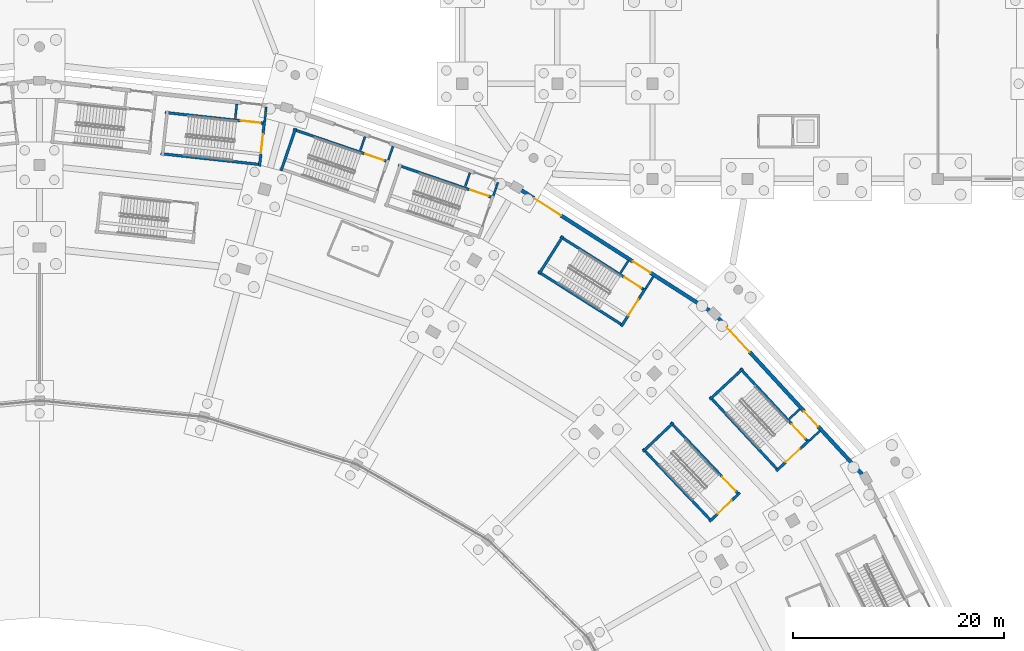
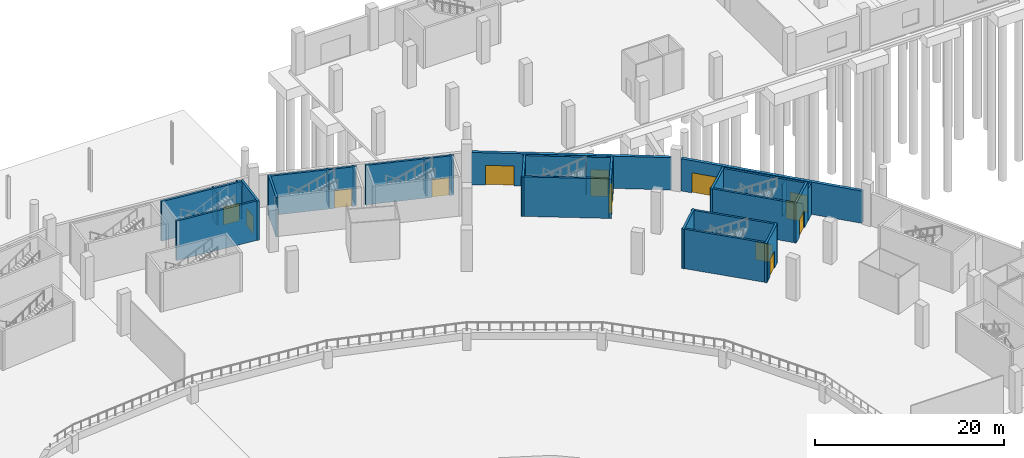
# One storey, part 47 of 103: 30 walls, 14 doors, 14 openings.
"""IFC4 building model written with IfcOpenShell, lengths in metres."""

from ifc_helpers import new_model, si_unit, direction, frame, frame_2d, origin, place, context, subcontext, project, spatial, rectangle, extrude, material, layer, layer_set, type_object, element, fill, save


model = new_model("IFC4")

# Units and contexts
model_context = context("Model", 3, precision=1e-05, world=origin(), true_north=direction((0.0, 1.0)))
body_context = subcontext(model_context, "Body", "Model", "MODEL_VIEW")
ifc_project = project(units=[si_unit("LENGTHUNIT", "METRE"), si_unit("AREAUNIT", "SQUARE_METRE"), si_unit("VOLUMEUNIT", "CUBIC_METRE"), si_unit("PLANEANGLEUNIT", "RADIAN"), si_unit("MASSUNIT", "GRAM", prefix="KILO")], contexts=[model_context])

# Site, building, storey
site_placement = place(None, origin())
site = spatial("IfcSite", under=ifc_project, at=site_placement, CompositionType="ELEMENT")
building_placement = place(site_placement, origin())
building = spatial("IfcBuilding", under=site, at=building_placement, Name="Zevraka Park Crest Stadium", CompositionType="ELEMENT")
storey_placement = place(building_placement, origin())
storey = spatial("IfcBuildingStorey", under=building, at=storey_placement, Name="L00", CompositionType="ELEMENT", Elevation=0.0)

# Wall, openings, doors
ifc_material_1 = material(Name="Limestone and red clay brick masonry", Category="masonry")
ifc_layer_1 = layer(ifc_material_1, 0.35009765625)
ifc_layer_set_1 = layer_set([ifc_layer_1], Name="Limestone and red clay brick masonry")
wall_type_1 = type_object("IfcWallType", Name="EW01", PredefinedType="STANDARD", material=ifc_layer_set_1)
wall_1_placement = place(storey_placement, frame((176.2080078125, 144.85791015625, 0.0), z_axis=(0.0, 0.0, 1.0), x_axis=(0.677106454921, -0.735885078462, 0.0)))
wall_1 = element("IfcWall", 1, at=wall_1_placement, inside=storey, type_object=wall_type_1, Name="L00 Pointed-Arch Colonnade Wall EW01 02", PredefinedType="STANDARD", context=body_context, shape_type="SweptSolid", body=[
    extrude(rectangle(XDim=20.128173828125, YDim=0.35009765625, at=frame_2d((10.06396484375, 0.0))), origin(), (0.0, 0.0, 1.0), 4.1650390625),
])
opening_1_placement = place(wall_1_placement, frame((12.033935546875, 0.0, 0.0)))
opening_1 = element("IfcOpeningElement", 2, at=opening_1_placement, cuts=wall_1, Name="Opening D-L00-EX-ST03", PredefinedType="OPENING", context=body_context, shape_type="SweptSolid", body=[
    extrude(rectangle(XDim=1.949951171875, YDim=2.25, at=frame_2d((0.97509765625, 1.125))), frame((0.0, 0.18505859375, 0.0), z_axis=(0.0, -1.0, 0.0), x_axis=(1.0, 0.0, 0.0)), (0.0, 0.0, 1.0), 0.3701171875),
])
opening_2_placement = place(wall_1_placement, frame((1.218017578125, 0.0, 0.0)))
opening_2 = element("IfcOpeningElement", 3, at=opening_2_placement, cuts=wall_1, Name="Opening D-L00-E03", PredefinedType="OPENING", context=body_context, shape_type="SweptSolid", body=[
    extrude(rectangle(XDim=3.199951171875, YDim=2.60009765625, at=frame_2d((1.60009765625, 1.300048828125))), frame((0.0, 0.18505859375, 0.0), z_axis=(0.0, -1.0, 0.0), x_axis=(1.0, 0.0, 0.0)), (0.0, 0.0, 1.0), 0.3701171875),
])
ifc_material_2 = material(Name="Thermally broken architectural aluminium and safety glass", Category="aluminium")
door_type_1 = type_object("IfcDoorType", Name="ED03", OperationType="NOTDEFINED", PredefinedType="DOOR", material=ifc_material_2)
door_1_placement = place(opening_2_placement, origin())
door_1 = element("IfcDoor", 4, at=door_1_placement, inside=storey, type_object=door_type_1, Name="Concourse Final Exit E03", OperationType="DOUBLE_DOOR_SINGLE_SWING", OverallHeight=2.60009765625, OverallWidth=3.199951171875, PredefinedType="DOOR", context=body_context, shape_type="SweptSolid", body=[
    extrude(rectangle(XDim=3.199951171875, YDim=2.60009765625, at=frame_2d((1.60009765625, 1.300048828125))), frame((0.0, 0.02490234375, 0.0), z_axis=(0.0, -1.0, 0.0), x_axis=(1.0, 0.0, 0.0)), (0.0, 0.0, 1.0), 0.050048828125),
])
fill(opening_2, door_1)
ifc_material_3 = material(Name="Thermally broken architectural aluminium and safety glass", Category="aluminium")
door_type_2 = type_object("IfcDoorType", Name="ED05", OperationType="NOTDEFINED", PredefinedType="DOOR", material=ifc_material_3)
door_2_placement = place(opening_1_placement, origin())
door_2 = element("IfcDoor", 5, at=door_2_placement, inside=storey, type_object=door_type_2, Name="Stair Final Exit Discharge Door D-L00-EX-ST03", OperationType="DOUBLE_DOOR_SINGLE_SWING", OverallHeight=2.25, OverallWidth=1.949951171875, PredefinedType="DOOR", context=body_context, shape_type="SweptSolid", body=[
    extrude(rectangle(XDim=1.949951171875, YDim=2.25, at=frame_2d((0.97509765625, 1.125))), frame((0.0, 0.02490234375, 0.0), z_axis=(0.0, -1.0, 0.0), x_axis=(1.0, 0.0, 0.0)), (0.0, 0.0, 1.0), 0.050048828125),
])
fill(opening_1, door_2)

wall_2_placement = place(storey_placement, frame((157.593017578125, 156.928955078125, 0.0), z_axis=(0.0, 0.0, 1.0), x_axis=(0.842308733224, -0.538995359845, 0.0)))
wall_2 = element("IfcWall", 6, at=wall_2_placement, inside=storey, type_object=wall_type_1, Name="L00 Pointed-Arch Colonnade Wall EW01 03", PredefinedType="STANDARD", context=body_context, shape_type="SweptSolid", body=[
    extrude(rectangle(XDim=21.139404296875, YDim=0.35009765625, at=frame_2d((10.56982421875, 0.0))), origin(), (0.0, 0.0, 1.0), 4.1650390625),
])
opening_3_placement = place(wall_2_placement, frame((12.555908203125, 0.0, 0.0)))
opening_3 = element("IfcOpeningElement", 7, at=opening_3_placement, cuts=wall_2, Name="Opening D-L00-EX-ST04", PredefinedType="OPENING", context=body_context, shape_type="SweptSolid", body=[
    extrude(rectangle(XDim=1.949951171875, YDim=2.25, at=frame_2d((0.97509765625, 1.125))), frame((0.0, 0.18505859375, 0.0), z_axis=(0.0, -1.0, 0.0), x_axis=(1.0, 0.0, 0.0)), (0.0, 0.0, 1.0), 0.3701171875),
])
opening_4_placement = place(wall_2_placement, frame((1.4599609375, 0.0, 0.0)))
opening_4 = element("IfcOpeningElement", 8, at=opening_4_placement, cuts=wall_2, Name="Opening D-L00-E04", PredefinedType="OPENING", context=body_context, shape_type="SweptSolid", body=[
    extrude(rectangle(XDim=3.0, YDim=2.550048828125, at=frame_2d((1.5, 1.27490234375))), frame((0.0, 0.18505859375, 0.0), z_axis=(0.0, -1.0, 0.0), x_axis=(1.0, 0.0, 0.0)), (0.0, 0.0, 1.0), 0.3701171875),
])
ifc_material_4 = material(Name="Thermally broken architectural aluminium and safety glass", Category="aluminium")
door_type_3 = type_object("IfcDoorType", Name="ED04", OperationType="NOTDEFINED", PredefinedType="DOOR", material=ifc_material_4)
door_3_placement = place(opening_4_placement, origin())
door_3 = element("IfcDoor", 9, at=door_3_placement, inside=storey, type_object=door_type_3, Name="Concourse Final Exit E04", OperationType="DOUBLE_DOOR_SINGLE_SWING", OverallHeight=2.550048828125, OverallWidth=3.0, PredefinedType="DOOR", context=body_context, shape_type="SweptSolid", body=[
    extrude(rectangle(XDim=3.0, YDim=2.550048828125, at=frame_2d((1.5, 1.27490234375))), frame((0.0, 0.02490234375, 0.0), z_axis=(0.0, -1.0, 0.0), x_axis=(1.0, 0.0, 0.0)), (0.0, 0.0, 1.0), 0.050048828125),
])
fill(opening_4, door_3)
door_4_placement = place(opening_3_placement, origin())
door_4 = element("IfcDoor", 10, at=door_4_placement, inside=storey, type_object=door_type_2, Name="Stair Final Exit Discharge Door D-L00-EX-ST04", OperationType="DOUBLE_DOOR_SINGLE_SWING", OverallHeight=2.25, OverallWidth=1.949951171875, PredefinedType="DOOR", context=body_context, shape_type="SweptSolid", body=[
    extrude(rectangle(XDim=1.949951171875, YDim=2.25, at=frame_2d((0.97509765625, 1.125))), frame((0.0, 0.02490234375, 0.0), z_axis=(0.0, -1.0, 0.0), x_axis=(1.0, 0.0, 0.0)), (0.0, 0.0, 1.0), 0.050048828125),
])
fill(opening_3, door_4)

# Walls
ifc_material_5 = material(Name="Autoclaved aerated masonry blockwork", Category="masonry")
ifc_layer_2 = layer(ifc_material_5, 0.199951171875)
ifc_layer_set_2 = layer_set([ifc_layer_2], Name="Autoclaved aerated masonry blockwork")
wall_type_2 = type_object("IfcWallType", Name="IW01", PredefinedType="PARTITIONING", material=ifc_layer_set_2)
wall_3_placement = place(storey_placement, frame((184.8583984375, 133.236083984375, 0.0), z_axis=(0.0, 0.0, 1.0), x_axis=(0.735725414691, 0.677279937823, 0.0)))
element("IfcWall", 11, at=wall_3_placement, inside=storey, type_object=wall_type_2, Name="Protected Exit Passageway Wall IW01 ST03-A", PredefinedType="PARTITIONING", context=body_context, shape_type="SweptSolid", body=[
    extrude(rectangle(XDim=1.349365234375, YDim=0.199951171875, at=frame_2d((0.6748046875, 0.0))), origin(), (0.0, 0.0, 1.0), 4.1650390625),
])
wall_4_placement = place(storey_placement, frame((182.95361328125, 135.288330078125, 0.0), z_axis=(0.0, 0.0, 1.0), x_axis=(0.73582732187, 0.677169219907, 0.0)))
element("IfcWall", 12, at=wall_4_placement, inside=storey, type_object=wall_type_2, Name="Protected Exit Passageway Wall IW01 ST03-B", PredefinedType="PARTITIONING", context=body_context, shape_type="SweptSolid", body=[
    extrude(rectangle(XDim=1.361083984375, YDim=0.199951171875, at=frame_2d((0.6806640625, 0.0))), origin(), (0.0, 0.0, 1.0), 4.1650390625),
])
wall_5_placement = place(storey_placement, frame((169.356689453125, 147.61181640625, 0.0), z_axis=(0.0, 0.0, 1.0), x_axis=(0.538638587753, 0.842536926066, 0.0)))
element("IfcWall", 13, at=wall_5_placement, inside=storey, type_object=wall_type_2, Name="Protected Exit Passageway Wall IW01 ST04-A", PredefinedType="PARTITIONING", context=body_context, shape_type="SweptSolid", body=[
    extrude(rectangle(XDim=1.35205078125, YDim=0.199951171875, at=frame_2d((0.676025390625, 0.0))), origin(), (0.0, 0.0, 1.0), 4.1650390625),
])
wall_6_placement = place(storey_placement, frame((166.9921875, 149.11181640625, 0.0), z_axis=(0.0, 0.0, 1.0), x_axis=(0.539063860458, 0.842264895593, 0.0)))
element("IfcWall", 14, at=wall_6_placement, inside=storey, type_object=wall_type_2, Name="Protected Exit Passageway Wall IW01 ST04-B", PredefinedType="PARTITIONING", context=body_context, shape_type="SweptSolid", body=[
    extrude(rectangle(XDim=1.36328125, YDim=0.199951171875, at=frame_2d((0.681640625, 0.0))), origin(), (0.0, 0.0, 1.0), 4.1650390625),
])
wall_7_placement = place(storey_placement, frame((154.93701171875, 156.384033203125, 0.0), z_axis=(0.0, 0.0, 1.0), x_axis=(0.326626008273, 0.945153665136, 0.0)))
element("IfcWall", 15, at=wall_7_placement, inside=storey, type_object=wall_type_2, Name="Protected Exit Passageway Wall IW01 ST05-A", PredefinedType="PARTITIONING", context=body_context, shape_type="SweptSolid", body=[
    extrude(rectangle(XDim=1.349853515625, YDim=0.199951171875, at=frame_2d((0.6748046875, 0.0))), origin(), (0.0, 0.0, 1.0), 4.1650390625),
])
wall_8_placement = place(storey_placement, frame((152.287841796875, 157.291015625, 0.0), z_axis=(0.0, 0.0, 1.0), x_axis=(0.326461818728, 0.945210389761, 0.0)))
element("IfcWall", 16, at=wall_8_placement, inside=storey, type_object=wall_type_2, Name="Protected Exit Passageway Wall IW01 ST05-B", PredefinedType="PARTITIONING", context=body_context, shape_type="SweptSolid", body=[
    extrude(rectangle(XDim=1.357421875, YDim=0.199951171875, at=frame_2d((0.6787109375, 0.0))), origin(), (0.0, 0.0, 1.0), 4.1650390625),
])
wall_9_placement = place(storey_placement, frame((133.30419921875, 163.42333984375, 0.0), z_axis=(0.0, 0.0, 1.0), x_axis=(0.109105210456, 0.994030207313, 0.0)))
element("IfcWall", 17, at=wall_9_placement, inside=storey, type_object=wall_type_2, Name="Protected Exit Passageway Wall IW01 ST06-A", PredefinedType="PARTITIONING", context=body_context, shape_type="SweptSolid", body=[
    extrude(rectangle(XDim=1.3740234375, YDim=0.199951171875, at=frame_2d((0.68701171875, 0.0))), origin(), (0.0, 0.0, 1.0), 4.1650390625),
])
wall_10_placement = place(storey_placement, frame((130.5205078125, 163.726318359375, 0.0), z_axis=(0.0, 0.0, 1.0), x_axis=(0.109301909368, 0.994008597854, 0.0)))
element("IfcWall", 18, at=wall_10_placement, inside=storey, type_object=wall_type_2, Name="Protected Exit Passageway Wall IW01 ST06-B", PredefinedType="PARTITIONING", context=body_context, shape_type="SweptSolid", body=[
    extrude(rectangle(XDim=1.3759765625, YDim=0.199951171875, at=frame_2d((0.68798828125, 0.0))), origin(), (0.0, 0.0, 1.0), 4.1650390625),
])
wall_11_placement = place(storey_placement, frame((145.0029296875, 159.784912109375, 0.0), z_axis=(0.0, 0.0, 1.0), x_axis=(0.326410930849, 0.945227964156, 0.0)))
element("IfcWall", 19, at=wall_11_placement, inside=storey, type_object=wall_type_2, Name="Protected Exit Passageway Wall IW01 ST25-A", PredefinedType="PARTITIONING", context=body_context, shape_type="SweptSolid", body=[
    extrude(rectangle(XDim=1.37841796875, YDim=0.199951171875, at=frame_2d((0.689208984375, 0.0))), origin(), (0.0, 0.0, 1.0), 4.1650390625),
])
wall_12_placement = place(storey_placement, frame((142.35400390625, 160.692138671875, 0.0), z_axis=(0.0, 0.0, 1.0), x_axis=(0.32614815498, 0.945318666378, 0.0)))
element("IfcWall", 20, at=wall_12_placement, inside=storey, type_object=wall_type_2, Name="Protected Exit Passageway Wall IW01 ST25-B", PredefinedType="PARTITIONING", context=body_context, shape_type="SweptSolid", body=[
    extrude(rectangle(XDim=1.385498046875, YDim=0.199951171875, at=frame_2d((0.69287109375, 0.0))), origin(), (0.0, 0.0, 1.0), 4.1650390625),
])

# Wall, opening, door
ifc_material_6 = material(Name="Concrete C40/50", Category="concrete")
ifc_layer_3 = layer(ifc_material_6, 0.25)
ifc_layer_set_3 = layer_set([ifc_layer_3], Name="Concrete C40/50")
wall_type_3 = type_object("IfcWallType", Name="SW01", PredefinedType="SHEAR", material=ifc_layer_set_3)
wall_13_placement = place(storey_placement, frame((178.30517578125, 140.047119140625, 0.0), z_axis=(0.0, 0.0, 1.0), x_axis=(0.680258890476, -0.732971924379, 0.0)))
wall_13 = element("IfcWall", 21, at=wall_13_placement, inside=storey, type_object=wall_type_3, Name="Stair Core Shear Wall SW01 ST03 L00 left", PredefinedType="SHEAR", context=body_context, shape_type="SweptSolid", body=[
    extrude(rectangle(XDim=9.550048828125, YDim=0.25, at=frame_2d((4.77490234375, 0.0))), origin(), (0.0, 0.0, 1.0), 5.10009765625),
])
opening_5_placement = place(wall_13_placement, frame((7.18994140625, 0.0, 0.0)))
opening_5 = element("IfcOpeningElement", 22, at=opening_5_placement, cuts=wall_13, Name="Opening D-L00-016", PredefinedType="OPENING", context=body_context, shape_type="SweptSolid", body=[
    extrude(rectangle(XDim=1.85009765625, YDim=2.300048828125, at=frame_2d((0.925048828125, 1.14990234375))), frame((0.0, 0.135009765625, 0.0), z_axis=(0.0, -1.0, 0.0), x_axis=(1.0, 0.0, 0.0)), (0.0, 0.0, 1.0), 0.27001953125),
])
ifc_material_7 = material(Name="Solid-core hardwood timber leaf in steel frame", Category="steel")
door_type_4 = type_object("IfcDoorType", Name="DR05", OperationType="NOTDEFINED", PredefinedType="DOOR", material=ifc_material_7)
door_5_placement = place(opening_5_placement, origin())
door_5 = element("IfcDoor", 23, at=door_5_placement, inside=storey, type_object=door_type_4, Name="Stair Exit Discharge Door ST03", OperationType="DOUBLE_DOOR_SINGLE_SWING", OverallHeight=2.300048828125, OverallWidth=1.85009765625, PredefinedType="DOOR", context=body_context, shape_type="SweptSolid", body=[
    extrude(rectangle(XDim=1.85009765625, YDim=2.300048828125, at=frame_2d((0.925048828125, 1.14990234375))), frame((0.0, 0.02490234375, 0.0), z_axis=(0.0, -1.0, 0.0), x_axis=(1.0, 0.0, 0.0)), (0.0, 0.0, 1.0), 0.050048828125),
])
fill(opening_5, door_5)

# Wall
wall_14_placement = place(storey_placement, frame((175.431884765625, 137.38037109375, 0.0), z_axis=(0.0, 0.0, 1.0), x_axis=(0.680271637111, -0.732960094236, 0.0)))
element("IfcWall", 24, at=wall_14_placement, inside=storey, type_object=wall_type_3, Name="Stair Core Shear Wall SW01 ST03 L00 right", PredefinedType="SHEAR", context=body_context, shape_type="SweptSolid", body=[
    extrude(rectangle(XDim=9.550048828125, YDim=0.25, at=frame_2d((4.77490234375, 0.0))), origin(), (0.0, 0.0, 1.0), 5.10009765625),
])

# Wall, opening, door
wall_15_placement = place(storey_placement, frame((181.71875, 130.3564453125, 0.0), z_axis=(0.0, 0.0, 1.0), x_axis=(0.732977166505, 0.680253242096, 0.0)))
wall_15 = element("IfcWall", 25, at=wall_15_placement, inside=storey, type_object=wall_type_3, Name="Stair Core Shear Wall SW01 ST03 L00 near", PredefinedType="SHEAR", context=body_context, shape_type="SweptSolid", body=[
    extrude(rectangle(XDim=4.260009765625, YDim=0.25, at=frame_2d((2.1298828125, 0.0))), origin(), (0.0, 0.0, 1.0), 5.10009765625),
])
opening_6_placement = place(wall_15_placement, frame((1.22998046875, 0.0, 0.0)))
opening_6 = element("IfcOpeningElement", 26, at=opening_6_placement, cuts=wall_15, Name="Opening D-L00-015", PredefinedType="OPENING", context=body_context, shape_type="SweptSolid", body=[
    extrude(rectangle(XDim=1.800048828125, YDim=2.25, at=frame_2d((0.89990234375, 1.125))), frame((0.0, 0.135009765625, 0.0), z_axis=(0.0, -1.0, 0.0), x_axis=(1.0, 0.0, 0.0)), (0.0, 0.0, 1.0), 0.27001953125),
])
ifc_material_8 = material(Name="Solid-core hardwood timber leaf in steel frame", Category="steel")
door_type_5 = type_object("IfcDoorType", Name="DR04", OperationType="NOTDEFINED", PredefinedType="DOOR", material=ifc_material_8)
door_6_placement = place(opening_6_placement, origin())
door_6 = element("IfcDoor", 27, at=door_6_placement, inside=storey, type_object=door_type_5, Name="Protected Stair Entry Door ST03 L00", OperationType="DOUBLE_DOOR_SINGLE_SWING", OverallHeight=2.25, OverallWidth=1.800048828125, PredefinedType="DOOR", context=body_context, shape_type="SweptSolid", body=[
    extrude(rectangle(XDim=1.800048828125, YDim=2.25, at=frame_2d((0.89990234375, 1.125))), frame((0.0, 0.02490234375, 0.0), z_axis=(0.0, -1.0, 0.0), x_axis=(1.0, 0.0, 0.0)), (0.0, 0.0, 1.0), 0.050048828125),
])
fill(opening_6, door_6)

# Wall
wall_16_placement = place(storey_placement, frame((178.5556640625, 140.027099609375, 0.0), z_axis=(0.0, 0.0, 1.0), x_axis=(-0.73295064559, -0.680281817433, 0.0)))
element("IfcWall", 28, at=wall_16_placement, inside=storey, type_object=wall_type_3, Name="Stair Core Shear Wall SW01 ST03 L00 far", PredefinedType="SHEAR", context=body_context, shape_type="SweptSolid", body=[
    extrude(rectangle(XDim=4.260009765625, YDim=0.25, at=frame_2d((2.1298828125, 0.0))), origin(), (0.0, 0.0, 1.0), 5.10009765625),
])

# Wall, opening, door
wall_17_placement = place(storey_placement, frame((161.285888671875, 152.53076171875, 0.0), z_axis=(0.0, 0.0, 1.0), x_axis=(0.844391246241, -0.535727004427, 0.0)))
wall_17 = element("IfcWall", 29, at=wall_17_placement, inside=storey, type_object=wall_type_3, Name="Stair Core Shear Wall SW01 ST04 L00 left", PredefinedType="SHEAR", context=body_context, shape_type="SweptSolid", body=[
    extrude(rectangle(XDim=9.550048828125, YDim=0.25, at=frame_2d((4.77490234375, 0.0))), origin(), (0.0, 0.0, 1.0), 5.10009765625),
])
opening_7_placement = place(wall_17_placement, frame((7.18994140625, 0.0, 0.0)))
opening_7 = element("IfcOpeningElement", 30, at=opening_7_placement, cuts=wall_17, Name="Opening D-L00-022", PredefinedType="OPENING", context=body_context, shape_type="SweptSolid", body=[
    extrude(rectangle(XDim=1.85009765625, YDim=2.300048828125, at=frame_2d((0.925048828125, 1.14990234375))), frame((0.0, 0.135009765625, 0.0), z_axis=(0.0, -1.0, 0.0), x_axis=(1.0, 0.0, 0.0)), (0.0, 0.0, 1.0), 0.27001953125),
])
door_7_placement = place(opening_7_placement, origin())
door_7 = element("IfcDoor", 31, at=door_7_placement, inside=storey, type_object=door_type_4, Name="Stair Exit Discharge Door ST04", OperationType="DOUBLE_DOOR_SINGLE_SWING", OverallHeight=2.300048828125, OverallWidth=1.85009765625, PredefinedType="DOOR", context=body_context, shape_type="SweptSolid", body=[
    extrude(rectangle(XDim=1.85009765625, YDim=2.300048828125, at=frame_2d((0.925048828125, 1.14990234375))), frame((0.0, 0.02490234375, 0.0), z_axis=(0.0, -1.0, 0.0), x_axis=(1.0, 0.0, 0.0)), (0.0, 0.0, 1.0), 0.050048828125),
])
fill(opening_7, door_7)

# Wall
wall_18_placement = place(storey_placement, frame((159.18603515625, 149.220703125, 0.0), z_axis=(0.0, 0.0, 1.0), x_axis=(0.844391246241, -0.535727004427, 0.0)))
element("IfcWall", 32, at=wall_18_placement, inside=storey, type_object=wall_type_3, Name="Stair Core Shear Wall SW01 ST04 L00 right", PredefinedType="SHEAR", context=body_context, shape_type="SweptSolid", body=[
    extrude(rectangle(XDim=9.550048828125, YDim=0.25, at=frame_2d((4.77490234375, 0.0))), origin(), (0.0, 0.0, 1.0), 5.10009765625),
])

# Wall, opening, door
wall_19_placement = place(storey_placement, frame((167.05322265625, 144.028076171875, 0.0), z_axis=(0.0, 0.0, 1.0), x_axis=(0.53572544074, 0.844392238325, 0.0)))
wall_19 = element("IfcWall", 33, at=wall_19_placement, inside=storey, type_object=wall_type_3, Name="Stair Core Shear Wall SW01 ST04 L00 near", PredefinedType="SHEAR", context=body_context, shape_type="SweptSolid", body=[
    extrude(rectangle(XDim=4.260009765625, YDim=0.25, at=frame_2d((2.1298828125, 0.0))), origin(), (0.0, 0.0, 1.0), 5.10009765625),
])
opening_8_placement = place(wall_19_placement, frame((1.22998046875, 0.0, 0.0)))
opening_8 = element("IfcOpeningElement", 34, at=opening_8_placement, cuts=wall_19, Name="Opening D-L00-021", PredefinedType="OPENING", context=body_context, shape_type="SweptSolid", body=[
    extrude(rectangle(XDim=1.800048828125, YDim=2.25, at=frame_2d((0.89990234375, 1.125))), frame((0.0, 0.135009765625, 0.0), z_axis=(0.0, -1.0, 0.0), x_axis=(1.0, 0.0, 0.0)), (0.0, 0.0, 1.0), 0.27001953125),
])
door_8_placement = place(opening_8_placement, origin())
door_8 = element("IfcDoor", 35, at=door_8_placement, inside=storey, type_object=door_type_5, Name="Protected Stair Entry Door ST04 L00", OperationType="DOUBLE_DOOR_SINGLE_SWING", OverallHeight=2.25, OverallWidth=1.800048828125, PredefinedType="DOOR", context=body_context, shape_type="SweptSolid", body=[
    extrude(rectangle(XDim=1.800048828125, YDim=2.25, at=frame_2d((0.89990234375, 1.125))), frame((0.0, 0.02490234375, 0.0), z_axis=(0.0, -1.0, 0.0), x_axis=(1.0, 0.0, 0.0)), (0.0, 0.0, 1.0), 0.050048828125),
])
fill(opening_8, door_8)

# Wall
wall_20_placement = place(storey_placement, frame((161.533203125, 152.5751953125, 0.0), z_axis=(0.0, 0.0, 1.0), x_axis=(-0.53572544074, -0.844392238325, 0.0)))
element("IfcWall", 36, at=wall_20_placement, inside=storey, type_object=wall_type_3, Name="Stair Core Shear Wall SW01 ST04 L00 far", PredefinedType="SHEAR", context=body_context, shape_type="SweptSolid", body=[
    extrude(rectangle(XDim=4.260009765625, YDim=0.25, at=frame_2d((2.1298828125, 0.0))), origin(), (0.0, 0.0, 1.0), 5.10009765625),
])

# Wall, opening, door
wall_21_placement = place(storey_placement, frame((145.94140625, 159.28466796875, 0.0), z_axis=(0.0, 0.0, 1.0), x_axis=(0.946064424228, -0.323978556712, 0.0)))
wall_21 = element("IfcWall", 37, at=wall_21_placement, inside=storey, type_object=wall_type_3, Name="Stair Core Shear Wall SW01 ST05 L00 left", PredefinedType="SHEAR", context=body_context, shape_type="SweptSolid", body=[
    extrude(rectangle(XDim=9.550048828125, YDim=0.25, at=frame_2d((4.77490234375, 0.0))), origin(), (0.0, 0.0, 1.0), 5.10009765625),
])
opening_9_placement = place(wall_21_placement, frame((7.18994140625, 0.0, 0.0)))
opening_9 = element("IfcOpeningElement", 38, at=opening_9_placement, cuts=wall_21, Name="Opening D-L00-027", PredefinedType="OPENING", context=body_context, shape_type="SweptSolid", body=[
    extrude(rectangle(XDim=1.85009765625, YDim=2.300048828125, at=frame_2d((0.925048828125, 1.14990234375))), frame((0.0, 0.135009765625, 0.0), z_axis=(0.0, -1.0, 0.0), x_axis=(1.0, 0.0, 0.0)), (0.0, 0.0, 1.0), 0.27001953125),
])
door_9_placement = place(opening_9_placement, origin())
door_9 = element("IfcDoor", 39, at=door_9_placement, inside=storey, type_object=door_type_4, Name="Stair Exit Discharge Door ST05", OperationType="DOUBLE_DOOR_SINGLE_SWING", OverallHeight=2.300048828125, OverallWidth=1.85009765625, PredefinedType="DOOR", context=body_context, shape_type="SweptSolid", body=[
    extrude(rectangle(XDim=1.85009765625, YDim=2.300048828125, at=frame_2d((0.925048828125, 1.14990234375))), frame((0.0, 0.02490234375, 0.0), z_axis=(0.0, -1.0, 0.0), x_axis=(1.0, 0.0, 0.0)), (0.0, 0.0, 1.0), 0.050048828125),
])
fill(opening_9, door_9)

wall_22_placement = place(storey_placement, frame((123.891357421875, 164.27685546875, 0.0), z_axis=(0.0, 0.0, 1.0), x_axis=(0.994127555169, -0.108214620337, 0.0)))
wall_22 = element("IfcWall", 40, at=wall_22_placement, inside=storey, type_object=wall_type_3, Name="Stair Core Shear Wall SW01 ST06 L00 left", PredefinedType="SHEAR", context=body_context, shape_type="SweptSolid", body=[
    extrude(rectangle(XDim=9.550048828125, YDim=0.25, at=frame_2d((4.77490234375, 0.0))), origin(), (0.0, 0.0, 1.0), 5.10009765625),
])
opening_10_placement = place(wall_22_placement, frame((7.18994140625, 0.0, 0.0)))
opening_10 = element("IfcOpeningElement", 41, at=opening_10_placement, cuts=wall_22, Name="Opening D-L00-033", PredefinedType="OPENING", context=body_context, shape_type="SweptSolid", body=[
    extrude(rectangle(XDim=1.85009765625, YDim=2.300048828125, at=frame_2d((0.925048828125, 1.14990234375))), frame((0.0, 0.135009765625, 0.0), z_axis=(0.0, -1.0, 0.0), x_axis=(1.0, 0.0, 0.0)), (0.0, 0.0, 1.0), 0.27001953125),
])
door_10_placement = place(opening_10_placement, origin())
door_10 = element("IfcDoor", 42, at=door_10_placement, inside=storey, type_object=door_type_4, Name="Stair Exit Discharge Door ST06", OperationType="DOUBLE_DOOR_SINGLE_SWING", OverallHeight=2.300048828125, OverallWidth=1.85009765625, PredefinedType="DOOR", context=body_context, shape_type="SweptSolid", body=[
    extrude(rectangle(XDim=1.85009765625, YDim=2.300048828125, at=frame_2d((0.925048828125, 1.14990234375))), frame((0.0, 0.02490234375, 0.0), z_axis=(0.0, -1.0, 0.0), x_axis=(1.0, 0.0, 0.0)), (0.0, 0.0, 1.0), 0.050048828125),
])
fill(opening_10, door_10)

# Wall
wall_23_placement = place(storey_placement, frame((123.467041015625, 160.3798828125, 0.0), z_axis=(0.0, 0.0, 1.0), x_axis=(0.994127555169, -0.108214620337, 0.0)))
element("IfcWall", 43, at=wall_23_placement, inside=storey, type_object=wall_type_3, Name="Stair Core Shear Wall SW01 ST06 L00 right", PredefinedType="SHEAR", context=body_context, shape_type="SweptSolid", body=[
    extrude(rectangle(XDim=9.550048828125, YDim=0.25, at=frame_2d((4.77490234375, 0.0))), origin(), (0.0, 0.0, 1.0), 5.10009765625),
])

# Wall, opening, door
wall_24_placement = place(storey_placement, frame((132.818359375, 159.19091796875, 0.0), z_axis=(0.0, 0.0, 1.0), x_axis=(0.108198315262, 0.994129329903, 0.0)))
wall_24 = element("IfcWall", 44, at=wall_24_placement, inside=storey, type_object=wall_type_3, Name="Stair Core Shear Wall SW01 ST06 L00 near", PredefinedType="SHEAR", context=body_context, shape_type="SweptSolid", body=[
    extrude(rectangle(XDim=4.260009765625, YDim=0.25, at=frame_2d((2.1298828125, 0.0))), origin(), (0.0, 0.0, 1.0), 5.10009765625),
])
opening_11_placement = place(wall_24_placement, frame((1.22998046875, 0.0, 0.0)))
opening_11 = element("IfcOpeningElement", 45, at=opening_11_placement, cuts=wall_24, Name="Opening D-L00-032", PredefinedType="OPENING", context=body_context, shape_type="SweptSolid", body=[
    extrude(rectangle(XDim=1.800048828125, YDim=2.25, at=frame_2d((0.89990234375, 1.125))), frame((0.0, 0.135009765625, 0.0), z_axis=(0.0, -1.0, 0.0), x_axis=(1.0, 0.0, 0.0)), (0.0, 0.0, 1.0), 0.27001953125),
])
door_11_placement = place(opening_11_placement, origin())
door_11 = element("IfcDoor", 46, at=door_11_placement, inside=storey, type_object=door_type_5, Name="Protected Stair Entry Door ST06 L00", OperationType="DOUBLE_DOOR_SINGLE_SWING", OverallHeight=2.25, OverallWidth=1.800048828125, PredefinedType="DOOR", context=body_context, shape_type="SweptSolid", body=[
    extrude(rectangle(XDim=1.800048828125, YDim=2.25, at=frame_2d((0.89990234375, 1.125))), frame((0.0, 0.02490234375, 0.0), z_axis=(0.0, -1.0, 0.0), x_axis=(1.0, 0.0, 0.0)), (0.0, 0.0, 1.0), 0.050048828125),
])
fill(opening_11, door_11)

wall_25_placement = place(storey_placement, frame((136.007568359375, 162.685546875, 0.0), z_axis=(0.0, 0.0, 1.0), x_axis=(0.946072259645, -0.323955675256, 0.0)))
wall_25 = element("IfcWall", 47, at=wall_25_placement, inside=storey, type_object=wall_type_3, Name="Stair Core Shear Wall SW01 ST25 L00 left", PredefinedType="SHEAR", context=body_context, shape_type="SweptSolid", body=[
    extrude(rectangle(XDim=9.5498046875, YDim=0.25, at=frame_2d((4.77490234375, 0.0))), origin(), (0.0, 0.0, 1.0), 5.10009765625),
])
opening_12_placement = place(wall_25_placement, frame((7.18994140625, 0.0, 0.0)))
opening_12 = element("IfcOpeningElement", 48, at=opening_12_placement, cuts=wall_25, Name="Opening D-L00-146", PredefinedType="OPENING", context=body_context, shape_type="SweptSolid", body=[
    extrude(rectangle(XDim=1.85009765625, YDim=2.300048828125, at=frame_2d((0.925048828125, 1.14990234375))), frame((0.0, 0.135009765625, 0.0), z_axis=(0.0, -1.0, 0.0), x_axis=(1.0, 0.0, 0.0)), (0.0, 0.0, 1.0), 0.27001953125),
])
door_12_placement = place(opening_12_placement, origin())
door_12 = element("IfcDoor", 49, at=door_12_placement, inside=storey, type_object=door_type_4, Name="Stair Exit Discharge Door ST25", OperationType="DOUBLE_DOOR_SINGLE_SWING", OverallHeight=2.300048828125, OverallWidth=1.85009765625, PredefinedType="DOOR", context=body_context, shape_type="SweptSolid", body=[
    extrude(rectangle(XDim=1.85009765625, YDim=2.300048828125, at=frame_2d((0.925048828125, 1.14990234375))), frame((0.0, 0.02490234375, 0.0), z_axis=(0.0, -1.0, 0.0), x_axis=(1.0, 0.0, 0.0)), (0.0, 0.0, 1.0), 0.050048828125),
])
fill(opening_12, door_12)

# Wall
wall_26_placement = place(storey_placement, frame((136.237548828125, 162.78662109375, 0.0), z_axis=(0.0, 0.0, 1.0), x_axis=(-0.323971192516, -0.946066946056, 0.0)))
element("IfcWall", 50, at=wall_26_placement, inside=storey, type_object=wall_type_3, Name="Stair Core Shear Wall SW01 ST25 L00 far", PredefinedType="SHEAR", context=body_context, shape_type="SweptSolid", body=[
    extrude(rectangle(XDim=4.260009765625, YDim=0.25, at=frame_2d((2.1298828125, 0.0))), origin(), (0.0, 0.0, 1.0), 5.10009765625),
])

# Wall, opening, door
wall_27_placement = place(storey_placement, frame((171.7275390625, 134.938720703125, 0.0), z_axis=(0.0, 0.0, 1.0), x_axis=(0.68832701945, -0.725400519916, 0.0)))
wall_27 = element("IfcWall", 51, at=wall_27_placement, inside=storey, type_object=wall_type_3, Name="Stair Core Shear Wall SW01 ST34 L00 left", PredefinedType="SHEAR", context=body_context, shape_type="SweptSolid", body=[
    extrude(rectangle(XDim=9.449951171875, YDim=0.25, at=frame_2d((4.72509765625, 0.0))), origin(), (0.0, 0.0, 1.0), 5.10009765625),
])
opening_13_placement = place(wall_27_placement, frame((7.090087890625, 0.0, 0.0)))
opening_13 = element("IfcOpeningElement", 52, at=opening_13_placement, cuts=wall_27, Name="Opening D-L00-190", PredefinedType="OPENING", context=body_context, shape_type="SweptSolid", body=[
    extrude(rectangle(XDim=1.85009765625, YDim=2.300048828125, at=frame_2d((0.925048828125, 1.14990234375))), frame((0.0, 0.135009765625, 0.0), z_axis=(0.0, -1.0, 0.0), x_axis=(1.0, 0.0, 0.0)), (0.0, 0.0, 1.0), 0.27001953125),
])
door_13_placement = place(opening_13_placement, origin())
door_13 = element("IfcDoor", 53, at=door_13_placement, inside=storey, type_object=door_type_4, Name="Stair Exit Discharge Door ST34", OperationType="DOUBLE_DOOR_SINGLE_SWING", OverallHeight=2.300048828125, OverallWidth=1.85009765625, PredefinedType="DOOR", context=body_context, shape_type="SweptSolid", body=[
    extrude(rectangle(XDim=1.85009765625, YDim=2.300048828125, at=frame_2d((0.925048828125, 1.14990234375))), frame((0.0, 0.02490234375, 0.0), z_axis=(0.0, -1.0, 0.0), x_axis=(1.0, 0.0, 0.0)), (0.0, 0.0, 1.0), 0.050048828125),
])
fill(opening_13, door_13)

# Wall
wall_28_placement = place(storey_placement, frame((169.1015625, 132.447021484375, 0.0), z_axis=(0.0, 0.0, 1.0), x_axis=(0.68832701945, -0.725400519916, 0.0)))
element("IfcWall", 54, at=wall_28_placement, inside=storey, type_object=wall_type_3, Name="Stair Core Shear Wall SW01 ST34 L00 right", PredefinedType="SHEAR", context=body_context, shape_type="SweptSolid", body=[
    extrude(rectangle(XDim=9.449951171875, YDim=0.25, at=frame_2d((4.72509765625, 0.0))), origin(), (0.0, 0.0, 1.0), 5.10009765625),
])

# Wall, opening, door
wall_29_placement = place(storey_placement, frame((175.396728515625, 125.565673828125, 0.0), z_axis=(0.0, 0.0, 1.0), x_axis=(0.725390288694, 0.688337801569, 0.0)))
wall_29 = element("IfcWall", 55, at=wall_29_placement, inside=storey, type_object=wall_type_3, Name="Stair Core Shear Wall SW01 ST34 L00 near", PredefinedType="SHEAR", context=body_context, shape_type="SweptSolid", body=[
    extrude(rectangle(XDim=3.9599609375, YDim=0.25, at=frame_2d((1.97998046875, 0.0))), origin(), (0.0, 0.0, 1.0), 5.10009765625),
])
opening_14_placement = place(wall_29_placement, frame((1.080078125, 0.0, 0.0)))
opening_14 = element("IfcOpeningElement", 56, at=opening_14_placement, cuts=wall_29, Name="Opening D-L00-189", PredefinedType="OPENING", context=body_context, shape_type="SweptSolid", body=[
    extrude(rectangle(XDim=1.800048828125, YDim=2.25, at=frame_2d((0.89990234375, 1.125))), frame((0.0, 0.135009765625, 0.0), z_axis=(0.0, -1.0, 0.0), x_axis=(1.0, 0.0, 0.0)), (0.0, 0.0, 1.0), 0.27001953125),
])
door_14_placement = place(opening_14_placement, origin())
door_14 = element("IfcDoor", 57, at=door_14_placement, inside=storey, type_object=door_type_5, Name="Protected Stair Entry Door ST34 L00", OperationType="DOUBLE_DOOR_SINGLE_SWING", OverallHeight=2.25, OverallWidth=1.800048828125, PredefinedType="DOOR", context=body_context, shape_type="SweptSolid", body=[
    extrude(rectangle(XDim=1.800048828125, YDim=2.25, at=frame_2d((0.89990234375, 1.125))), frame((0.0, 0.02490234375, 0.0), z_axis=(0.0, -1.0, 0.0), x_axis=(1.0, 0.0, 0.0)), (0.0, 0.0, 1.0), 0.050048828125),
])
fill(opening_14, door_14)

# Wall
wall_30_placement = place(storey_placement, frame((171.97802734375, 134.921630859375, 0.0), z_axis=(0.0, 0.0, 1.0), x_axis=(-0.725390288694, -0.688337801569, 0.0)))
element("IfcWall", 58, at=wall_30_placement, inside=storey, type_object=wall_type_3, Name="Stair Core Shear Wall SW01 ST34 L00 far", PredefinedType="SHEAR", context=body_context, shape_type="SweptSolid", body=[
    extrude(rectangle(XDim=3.9599609375, YDim=0.25, at=frame_2d((1.97998046875, 0.0))), origin(), (0.0, 0.0, 1.0), 5.10009765625),
])

save(model, "model.ifc")
